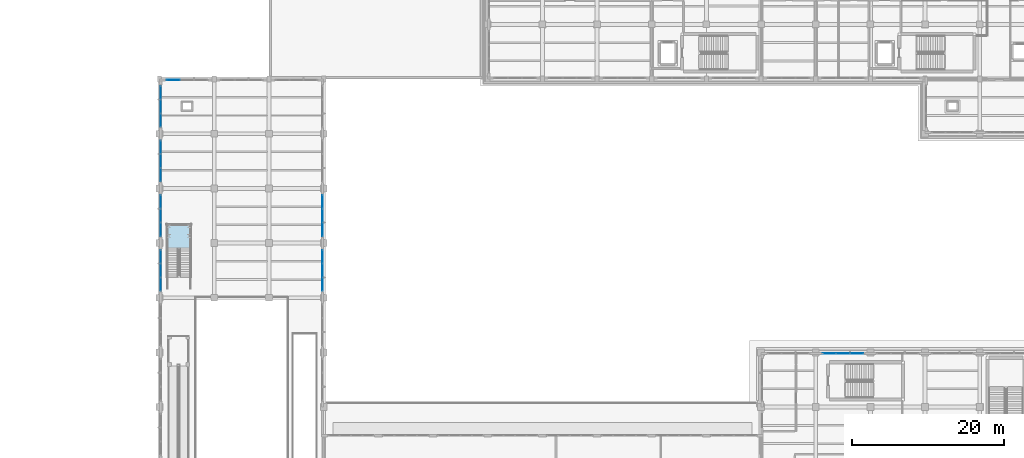
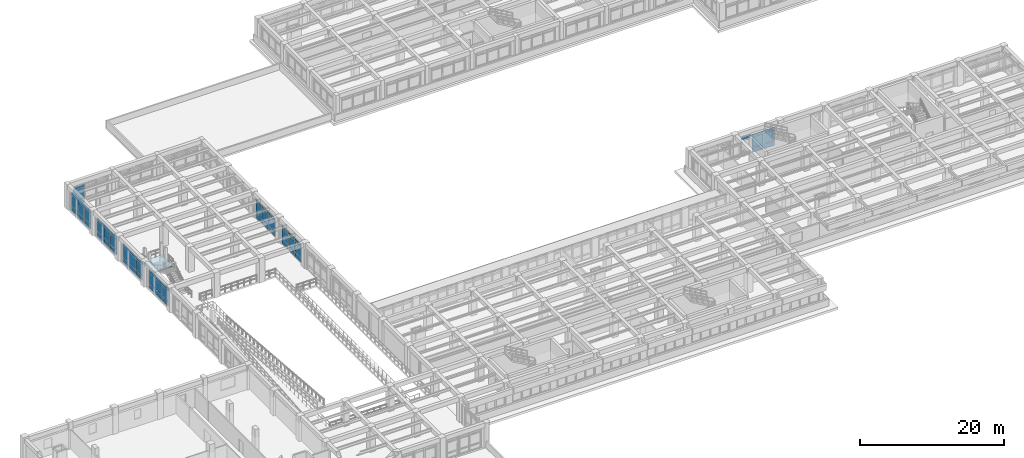
# One storey, part 40 of 69: 64 plates, 1 slab, 9 elements without a shape of their own.
"""IFC4 building model written with IfcOpenShell, lengths in metres."""

from ifc_helpers import new_model, si_unit, direction, frame, origin, origin_2d, place, context, subcontext, project, spatial, polyline, rectangle, outline, extrude, material, layer, layer_set, type_object, element, aggregate, save


model = new_model("IFC4")

# Units and contexts
model_context = context("Model", 3, precision=1e-05, world=origin(), true_north=direction((0.0, 1.0)))
body_context = subcontext(model_context, "Body", "Model", "MODEL_VIEW")
ifc_project = project(units=[si_unit("LENGTHUNIT", "METRE"), si_unit("AREAUNIT", "SQUARE_METRE"), si_unit("VOLUMEUNIT", "CUBIC_METRE"), si_unit("PLANEANGLEUNIT", "RADIAN"), si_unit("MASSUNIT", "GRAM", prefix="KILO")], contexts=[model_context])

# Site, building, storey
site_placement = place(None, origin())
site = spatial("IfcSite", under=ifc_project, at=site_placement, CompositionType="ELEMENT")
building_placement = place(site_placement, origin())
building = spatial("IfcBuilding", under=site, at=building_placement, Name="Solenvale Faculty of Natural Sciences", CompositionType="ELEMENT")
storey_placement = place(building_placement, frame((0.0, 0.0, 4.5)))
storey = spatial("IfcBuildingStorey", under=building, at=storey_placement, Name="L01", CompositionType="ELEMENT", Elevation=4.5)

# Curtain wall, plates
ifc_material_1 = material(Name="Anodised bronze aluminium", Category="aluminium")
ifc_layer_1 = layer(ifc_material_1, 0.199951171875)
ifc_layer_set_1 = layer_set([ifc_layer_1], Name="Anodised bronze aluminium")
curtain_wall_type_1 = type_object("IfcCurtainWallType", Name="CW-COM-FIN", PredefinedType="USERDEFINED", material=ifc_layer_set_1)
curtain_wall_1_placement = place(storey_placement, origin())
curtain_wall_1 = element("IfcCurtainWall", 1, at=curtain_wall_1_placement, inside=storey, type_object=curtain_wall_type_1, Name="L01 Curtain Wall CW-L01-P1-E9-B6", ObjectType="UNITISED CURTAIN WALL", PredefinedType="USERDEFINED")
ifc_material_2 = material(Name="Triple low-E insulated glass", Category="glass")
ifc_layer_2 = layer(ifc_material_2, 0.031982421875)
ifc_layer_set_2 = layer_set([ifc_layer_2], Name="Triple low-E insulated glass")
plate_type_1 = type_object("IfcPlateType", Name="CWP-PNL-32", PredefinedType="CURTAIN_PANEL", material=ifc_layer_set_2)
plate_1_placement = place(storey_placement, frame((127.814697265625, 57.45751953125, 0.074951171875), z_axis=(0.0, 0.0, 1.0), x_axis=(-1.0, 0.0, 0.0)))
plate_1 = element("IfcPlate", 2, at=plate_1_placement, type_object=plate_type_1, Name="CW-03 panel 1.1", PredefinedType="CURTAIN_PANEL", context=body_context, shape_type="SweptSolid", body=[
    extrude(rectangle(XDim=1.720947265625, YDim=0.031982421875, at=origin_2d()), origin(), (0.0, 0.0, 1.0), 0.78759765625),
])
plate_2_placement = place(storey_placement, frame((127.814697265625, 57.45751953125, 0.9375), z_axis=(0.0, 0.0, 1.0), x_axis=(-1.0, 0.0, 0.0)))
plate_2 = element("IfcPlate", 3, at=plate_2_placement, type_object=plate_type_1, Name="CW-03 panel 1.2", PredefinedType="CURTAIN_PANEL", context=body_context, shape_type="SweptSolid", body=[
    extrude(rectangle(XDim=1.720947265625, YDim=0.031982421875, at=origin_2d()), origin(), (0.0, 0.0, 1.0), 1.784912109375),
])
plate_3_placement = place(storey_placement, frame((127.814697265625, 57.45751953125, 2.79736328125), z_axis=(0.0, 0.0, 1.0), x_axis=(-1.0, 0.0, 0.0)))
plate_3 = element("IfcPlate", 4, at=plate_3_placement, type_object=plate_type_1, Name="CW-03 panel 1.3", PredefinedType="CURTAIN_PANEL", context=body_context, shape_type="SweptSolid", body=[
    extrude(rectangle(XDim=1.720947265625, YDim=0.031982421875, at=origin_2d()), origin(), (0.0, 0.0, 1.0), 0.387451171875),
])
plate_4_placement = place(storey_placement, frame((126.0, 57.45751953125, 0.074951171875), z_axis=(0.0, 0.0, 1.0), x_axis=(-1.0, 0.0, 0.0)))
plate_4 = element("IfcPlate", 5, at=plate_4_placement, type_object=plate_type_1, Name="CW-03 panel 2.1", PredefinedType="CURTAIN_PANEL", context=body_context, shape_type="SweptSolid", body=[
    extrude(rectangle(XDim=1.75830078125, YDim=0.031982421875, at=origin_2d()), origin(), (0.0, 0.0, 1.0), 0.78759765625),
])
plate_5_placement = place(storey_placement, frame((126.0, 57.45751953125, 0.9375), z_axis=(0.0, 0.0, 1.0), x_axis=(-1.0, 0.0, 0.0)))
plate_5 = element("IfcPlate", 6, at=plate_5_placement, type_object=plate_type_1, Name="CW-03 panel 2.2", PredefinedType="CURTAIN_PANEL", context=body_context, shape_type="SweptSolid", body=[
    extrude(rectangle(XDim=1.75830078125, YDim=0.031982421875, at=origin_2d()), origin(), (0.0, 0.0, 1.0), 1.784912109375),
])
plate_6_placement = place(storey_placement, frame((126.0, 57.45751953125, 2.79736328125), z_axis=(0.0, 0.0, 1.0), x_axis=(-1.0, 0.0, 0.0)))
plate_6 = element("IfcPlate", 7, at=plate_6_placement, type_object=plate_type_1, Name="CW-03 panel 2.3", PredefinedType="CURTAIN_PANEL", context=body_context, shape_type="SweptSolid", body=[
    extrude(rectangle(XDim=1.75830078125, YDim=0.031982421875, at=origin_2d()), origin(), (0.0, 0.0, 1.0), 0.387451171875),
])
plate_7_placement = place(storey_placement, frame((124.185302734375, 57.45751953125, 2.79736328125), z_axis=(0.0, 0.0, 1.0), x_axis=(-1.0, 0.0, 0.0)))
plate_7 = element("IfcPlate", 8, at=plate_7_placement, type_object=plate_type_1, Name="CW-03 panel 3.3", PredefinedType="CURTAIN_PANEL", context=body_context, shape_type="SweptSolid", body=[
    extrude(rectangle(XDim=1.720947265625, YDim=0.031982421875, at=origin_2d()), origin(), (0.0, 0.0, 1.0), 0.387451171875),
])
aggregate(curtain_wall_1, [plate_1, plate_2, plate_3, plate_4, plate_5, plate_6, plate_7])

ifc_layer_3 = layer(ifc_material_1, 0.215087890625)
ifc_layer_set_3 = layer_set([ifc_layer_3], Name="Anodised bronze aluminium")
curtain_wall_type_2 = type_object("IfcCurtainWallType", Name="CW-ATR-UNIT", PredefinedType="USERDEFINED", material=ifc_layer_set_3)
curtain_wall_2_placement = place(storey_placement, origin())
curtain_wall_2 = element("IfcCurtainWall", 9, at=curtain_wall_2_placement, inside=storey, type_object=curtain_wall_type_2, Name="L01 Curtain Wall CW-L01-P1-E14-B1", ObjectType="UNITISED CURTAIN WALL", PredefinedType="USERDEFINED")
plate_8_placement = place(storey_placement, frame((36.142578125, 91.814697265625, 0.074951171875), z_axis=(0.0, 0.0, 1.0), x_axis=(0.0, -1.0, 0.0)))
plate_8 = element("IfcPlate", 10, at=plate_8_placement, type_object=plate_type_1, Name="CW-01 panel 1.1", PredefinedType="CURTAIN_PANEL", context=body_context, shape_type="SweptSolid", body=[
    extrude(rectangle(XDim=1.720947265625, YDim=0.031982421875, at=origin_2d()), origin(), (0.0, 0.0, 1.0), 0.78759765625),
])
plate_9_placement = place(storey_placement, frame((36.142578125, 91.814697265625, 0.9375), z_axis=(0.0, 0.0, 1.0), x_axis=(0.0, -1.0, 0.0)))
plate_9 = element("IfcPlate", 11, at=plate_9_placement, type_object=plate_type_1, Name="CW-01 panel 1.2", PredefinedType="CURTAIN_PANEL", context=body_context, shape_type="SweptSolid", body=[
    extrude(rectangle(XDim=1.720947265625, YDim=0.031982421875, at=origin_2d()), origin(), (0.0, 0.0, 1.0), 1.784912109375),
])
plate_10_placement = place(storey_placement, frame((36.142578125, 91.814697265625, 2.79736328125), z_axis=(0.0, 0.0, 1.0), x_axis=(0.0, -1.0, 0.0)))
plate_10 = element("IfcPlate", 12, at=plate_10_placement, type_object=plate_type_1, Name="CW-01 panel 1.3", PredefinedType="CURTAIN_PANEL", context=body_context, shape_type="SweptSolid", body=[
    extrude(rectangle(XDim=1.720947265625, YDim=0.031982421875, at=origin_2d()), origin(), (0.0, 0.0, 1.0), 0.387451171875),
])
plate_11_placement = place(storey_placement, frame((36.142578125, 90.0, 0.074951171875), z_axis=(0.0, 0.0, 1.0), x_axis=(0.0, -1.0, 0.0)))
plate_11 = element("IfcPlate", 13, at=plate_11_placement, type_object=plate_type_1, Name="CW-01 panel 2.1", PredefinedType="CURTAIN_PANEL", context=body_context, shape_type="SweptSolid", body=[
    extrude(rectangle(XDim=1.75830078125, YDim=0.031982421875, at=origin_2d()), origin(), (0.0, 0.0, 1.0), 0.78759765625),
])
plate_12_placement = place(storey_placement, frame((36.142578125, 90.0, 0.9375), z_axis=(0.0, 0.0, 1.0), x_axis=(0.0, -1.0, 0.0)))
plate_12 = element("IfcPlate", 14, at=plate_12_placement, type_object=plate_type_1, Name="CW-01 panel 2.2", PredefinedType="CURTAIN_PANEL", context=body_context, shape_type="SweptSolid", body=[
    extrude(rectangle(XDim=1.75830078125, YDim=0.031982421875, at=origin_2d()), origin(), (0.0, 0.0, 1.0), 1.784912109375),
])
plate_13_placement = place(storey_placement, frame((36.142578125, 90.0, 2.79736328125), z_axis=(0.0, 0.0, 1.0), x_axis=(0.0, -1.0, 0.0)))
plate_13 = element("IfcPlate", 15, at=plate_13_placement, type_object=plate_type_1, Name="CW-01 panel 2.3", PredefinedType="CURTAIN_PANEL", context=body_context, shape_type="SweptSolid", body=[
    extrude(rectangle(XDim=1.75830078125, YDim=0.031982421875, at=origin_2d()), origin(), (0.0, 0.0, 1.0), 0.387451171875),
])
plate_14_placement = place(storey_placement, frame((36.142578125, 88.185302734375, 0.074951171875), z_axis=(0.0, 0.0, 1.0), x_axis=(0.0, -1.0, 0.0)))
plate_14 = element("IfcPlate", 16, at=plate_14_placement, type_object=plate_type_1, Name="CW-01 panel 3.1", PredefinedType="CURTAIN_PANEL", context=body_context, shape_type="SweptSolid", body=[
    extrude(rectangle(XDim=1.720947265625, YDim=0.031982421875, at=origin_2d()), origin(), (0.0, 0.0, 1.0), 0.78759765625),
])
plate_15_placement = place(storey_placement, frame((36.142578125, 88.185302734375, 0.9375), z_axis=(0.0, 0.0, 1.0), x_axis=(0.0, -1.0, 0.0)))
plate_15 = element("IfcPlate", 17, at=plate_15_placement, type_object=plate_type_1, Name="CW-01 panel 3.2", PredefinedType="CURTAIN_PANEL", context=body_context, shape_type="SweptSolid", body=[
    extrude(rectangle(XDim=1.720947265625, YDim=0.031982421875, at=origin_2d()), origin(), (0.0, 0.0, 1.0), 1.784912109375),
])
plate_16_placement = place(storey_placement, frame((36.142578125, 88.185302734375, 2.79736328125), z_axis=(0.0, 0.0, 1.0), x_axis=(0.0, -1.0, 0.0)))
plate_16 = element("IfcPlate", 18, at=plate_16_placement, type_object=plate_type_1, Name="CW-01 panel 3.3", PredefinedType="CURTAIN_PANEL", context=body_context, shape_type="SweptSolid", body=[
    extrude(rectangle(XDim=1.720947265625, YDim=0.031982421875, at=origin_2d()), origin(), (0.0, 0.0, 1.0), 0.387451171875),
])
aggregate(curtain_wall_2, [plate_8, plate_9, plate_10, plate_11, plate_12, plate_13, plate_14, plate_15, plate_16])

curtain_wall_3_placement = place(storey_placement, origin())
curtain_wall_3 = element("IfcCurtainWall", 19, at=curtain_wall_3_placement, inside=storey, type_object=curtain_wall_type_2, Name="L01 Curtain Wall CW-L01-P1-E12-B4", ObjectType="UNITISED CURTAIN WALL", PredefinedType="USERDEFINED")
ifc_layer_4 = layer(ifc_material_2, 0.035888671875)
ifc_layer_set_4 = layer_set([ifc_layer_4], Name="Triple low-E insulated glass")
plate_type_2 = type_object("IfcPlateType", Name="CWP-PNL-36", PredefinedType="CURTAIN_PANEL", material=ifc_layer_set_4)
plate_17_placement = place(storey_placement, frame((57.45751953125, 66.58544921875, 0.074951171875), z_axis=(0.0, 0.0, 1.0), x_axis=(0.0, 1.0, 0.0)))
plate_17 = element("IfcPlate", 20, at=plate_17_placement, type_object=plate_type_2, Name="CW-01 panel 1.1", PredefinedType="CURTAIN_PANEL", context=body_context, shape_type="SweptSolid", body=[
    extrude(rectangle(XDim=1.720947265625, YDim=0.035888671875, at=origin_2d()), origin(), (0.0, 0.0, 1.0), 0.78759765625),
])
plate_18_placement = place(storey_placement, frame((57.45751953125, 66.58544921875, 0.9375), z_axis=(0.0, 0.0, 1.0), x_axis=(0.0, 1.0, 0.0)))
plate_18 = element("IfcPlate", 21, at=plate_18_placement, type_object=plate_type_2, Name="CW-01 panel 1.2", PredefinedType="CURTAIN_PANEL", context=body_context, shape_type="SweptSolid", body=[
    extrude(rectangle(XDim=1.720947265625, YDim=0.035888671875, at=origin_2d()), origin(), (0.0, 0.0, 1.0), 1.784912109375),
])
plate_19_placement = place(storey_placement, frame((57.45751953125, 66.58544921875, 2.79736328125), z_axis=(0.0, 0.0, 1.0), x_axis=(0.0, 1.0, 0.0)))
plate_19 = element("IfcPlate", 22, at=plate_19_placement, type_object=plate_type_2, Name="CW-01 panel 1.3", PredefinedType="CURTAIN_PANEL", context=body_context, shape_type="SweptSolid", body=[
    extrude(rectangle(XDim=1.720947265625, YDim=0.035888671875, at=origin_2d()), origin(), (0.0, 0.0, 1.0), 0.387451171875),
])
plate_20_placement = place(storey_placement, frame((57.45751953125, 68.39990234375, 0.074951171875), z_axis=(0.0, 0.0, 1.0), x_axis=(0.0, 1.0, 0.0)))
plate_20 = element("IfcPlate", 23, at=plate_20_placement, type_object=plate_type_2, Name="CW-01 panel 2.1", PredefinedType="CURTAIN_PANEL", context=body_context, shape_type="SweptSolid", body=[
    extrude(rectangle(XDim=1.75830078125, YDim=0.035888671875, at=origin_2d()), origin(), (0.0, 0.0, 1.0), 0.78759765625),
])
plate_21_placement = place(storey_placement, frame((57.45751953125, 68.39990234375, 0.9375), z_axis=(0.0, 0.0, 1.0), x_axis=(0.0, 1.0, 0.0)))
plate_21 = element("IfcPlate", 24, at=plate_21_placement, type_object=plate_type_2, Name="CW-01 panel 2.2", PredefinedType="CURTAIN_PANEL", context=body_context, shape_type="SweptSolid", body=[
    extrude(rectangle(XDim=1.75830078125, YDim=0.035888671875, at=origin_2d()), origin(), (0.0, 0.0, 1.0), 1.784912109375),
])
plate_22_placement = place(storey_placement, frame((57.45751953125, 68.39990234375, 2.79736328125), z_axis=(0.0, 0.0, 1.0), x_axis=(0.0, 1.0, 0.0)))
plate_22 = element("IfcPlate", 25, at=plate_22_placement, type_object=plate_type_2, Name="CW-01 panel 2.3", PredefinedType="CURTAIN_PANEL", context=body_context, shape_type="SweptSolid", body=[
    extrude(rectangle(XDim=1.75830078125, YDim=0.035888671875, at=origin_2d()), origin(), (0.0, 0.0, 1.0), 0.387451171875),
])
plate_23_placement = place(storey_placement, frame((57.45751953125, 70.214599609375, 0.074951171875), z_axis=(0.0, 0.0, 1.0), x_axis=(0.0, 1.0, 0.0)))
plate_23 = element("IfcPlate", 26, at=plate_23_placement, type_object=plate_type_2, Name="CW-01 panel 3.1", PredefinedType="CURTAIN_PANEL", context=body_context, shape_type="SweptSolid", body=[
    extrude(rectangle(XDim=1.720947265625, YDim=0.035888671875, at=origin_2d()), origin(), (0.0, 0.0, 1.0), 0.78759765625),
])
plate_24_placement = place(storey_placement, frame((57.45751953125, 70.214599609375, 0.9375), z_axis=(0.0, 0.0, 1.0), x_axis=(0.0, 1.0, 0.0)))
plate_24 = element("IfcPlate", 27, at=plate_24_placement, type_object=plate_type_2, Name="CW-01 panel 3.2", PredefinedType="CURTAIN_PANEL", context=body_context, shape_type="SweptSolid", body=[
    extrude(rectangle(XDim=1.720947265625, YDim=0.035888671875, at=origin_2d()), origin(), (0.0, 0.0, 1.0), 1.784912109375),
])
plate_25_placement = place(storey_placement, frame((57.45751953125, 70.214599609375, 2.79736328125), z_axis=(0.0, 0.0, 1.0), x_axis=(0.0, 1.0, 0.0)))
plate_25 = element("IfcPlate", 28, at=plate_25_placement, type_object=plate_type_2, Name="CW-01 panel 3.3", PredefinedType="CURTAIN_PANEL", context=body_context, shape_type="SweptSolid", body=[
    extrude(rectangle(XDim=1.720947265625, YDim=0.035888671875, at=origin_2d()), origin(), (0.0, 0.0, 1.0), 0.387451171875),
])
aggregate(curtain_wall_3, [plate_17, plate_18, plate_19, plate_20, plate_21, plate_22, plate_23, plate_24, plate_25])

curtain_wall_4_placement = place(storey_placement, origin())
curtain_wall_4 = element("IfcCurtainWall", 29, at=curtain_wall_4_placement, inside=storey, type_object=curtain_wall_type_2, Name="L01 Curtain Wall CW-L01-P1-E13-B3", ObjectType="UNITISED CURTAIN WALL", PredefinedType="USERDEFINED")
plate_26_placement = place(storey_placement, frame((37.785400390625, 93.45751953125, 0.074951171875), z_axis=(0.0, 0.0, 1.0), x_axis=(-1.0, 0.0, 0.0)))
plate_26 = element("IfcPlate", 30, at=plate_26_placement, type_object=plate_type_2, Name="CW-01 panel 3.1", PredefinedType="CURTAIN_PANEL", context=body_context, shape_type="SweptSolid", body=[
    extrude(rectangle(XDim=1.720947265625, YDim=0.035888671875, at=origin_2d()), origin(), (0.0, 0.0, 1.0), 0.78759765625),
])
plate_27_placement = place(storey_placement, frame((37.785400390625, 93.45751953125, 0.9375), z_axis=(0.0, 0.0, 1.0), x_axis=(-1.0, 0.0, 0.0)))
plate_27 = element("IfcPlate", 31, at=plate_27_placement, type_object=plate_type_2, Name="CW-01 panel 3.2", PredefinedType="CURTAIN_PANEL", context=body_context, shape_type="SweptSolid", body=[
    extrude(rectangle(XDim=1.720947265625, YDim=0.035888671875, at=origin_2d()), origin(), (0.0, 0.0, 1.0), 1.784912109375),
])
plate_28_placement = place(storey_placement, frame((37.785400390625, 93.45751953125, 2.79736328125), z_axis=(0.0, 0.0, 1.0), x_axis=(-1.0, 0.0, 0.0)))
plate_28 = element("IfcPlate", 32, at=plate_28_placement, type_object=plate_type_2, Name="CW-01 panel 3.3", PredefinedType="CURTAIN_PANEL", context=body_context, shape_type="SweptSolid", body=[
    extrude(rectangle(XDim=1.720947265625, YDim=0.035888671875, at=origin_2d()), origin(), (0.0, 0.0, 1.0), 0.387451171875),
])
aggregate(curtain_wall_4, [plate_26, plate_27, plate_28])

curtain_wall_5_placement = place(storey_placement, origin())
curtain_wall_5 = element("IfcCurtainWall", 33, at=curtain_wall_5_placement, inside=storey, type_object=curtain_wall_type_2, Name="L01 Curtain Wall CW-L01-P1-E14-B2", ObjectType="UNITISED CURTAIN WALL", PredefinedType="USERDEFINED")
plate_29_placement = place(storey_placement, frame((36.142578125, 84.614501953125, 0.074951171875), z_axis=(0.0, 0.0, 1.0), x_axis=(0.0, -1.0, 0.0)))
plate_29 = element("IfcPlate", 34, at=plate_29_placement, type_object=plate_type_2, Name="CW-01 panel 1.1", PredefinedType="CURTAIN_PANEL", context=body_context, shape_type="SweptSolid", body=[
    extrude(rectangle(XDim=1.720947265625, YDim=0.035888671875, at=origin_2d()), origin(), (0.0, 0.0, 1.0), 0.78759765625),
])
plate_30_placement = place(storey_placement, frame((36.142578125, 84.614501953125, 0.9375), z_axis=(0.0, 0.0, 1.0), x_axis=(0.0, -1.0, 0.0)))
plate_30 = element("IfcPlate", 35, at=plate_30_placement, type_object=plate_type_2, Name="CW-01 panel 1.2", PredefinedType="CURTAIN_PANEL", context=body_context, shape_type="SweptSolid", body=[
    extrude(rectangle(XDim=1.720947265625, YDim=0.035888671875, at=origin_2d()), origin(), (0.0, 0.0, 1.0), 1.784912109375),
])
plate_31_placement = place(storey_placement, frame((36.142578125, 84.614501953125, 2.79736328125), z_axis=(0.0, 0.0, 1.0), x_axis=(0.0, -1.0, 0.0)))
plate_31 = element("IfcPlate", 36, at=plate_31_placement, type_object=plate_type_2, Name="CW-01 panel 1.3", PredefinedType="CURTAIN_PANEL", context=body_context, shape_type="SweptSolid", body=[
    extrude(rectangle(XDim=1.720947265625, YDim=0.035888671875, at=origin_2d()), origin(), (0.0, 0.0, 1.0), 0.387451171875),
])
plate_32_placement = place(storey_placement, frame((36.142578125, 82.800048828125, 0.074951171875), z_axis=(0.0, 0.0, 1.0), x_axis=(0.0, -1.0, 0.0)))
plate_32 = element("IfcPlate", 37, at=plate_32_placement, type_object=plate_type_2, Name="CW-01 panel 2.1", PredefinedType="CURTAIN_PANEL", context=body_context, shape_type="SweptSolid", body=[
    extrude(rectangle(XDim=1.75830078125, YDim=0.035888671875, at=origin_2d()), origin(), (0.0, 0.0, 1.0), 0.78759765625),
])
plate_33_placement = place(storey_placement, frame((36.142578125, 82.800048828125, 0.9375), z_axis=(0.0, 0.0, 1.0), x_axis=(0.0, -1.0, 0.0)))
plate_33 = element("IfcPlate", 38, at=plate_33_placement, type_object=plate_type_2, Name="CW-01 panel 2.2", PredefinedType="CURTAIN_PANEL", context=body_context, shape_type="SweptSolid", body=[
    extrude(rectangle(XDim=1.75830078125, YDim=0.035888671875, at=origin_2d()), origin(), (0.0, 0.0, 1.0), 1.784912109375),
])
plate_34_placement = place(storey_placement, frame((36.142578125, 82.800048828125, 2.79736328125), z_axis=(0.0, 0.0, 1.0), x_axis=(0.0, -1.0, 0.0)))
plate_34 = element("IfcPlate", 39, at=plate_34_placement, type_object=plate_type_2, Name="CW-01 panel 2.3", PredefinedType="CURTAIN_PANEL", context=body_context, shape_type="SweptSolid", body=[
    extrude(rectangle(XDim=1.75830078125, YDim=0.035888671875, at=origin_2d()), origin(), (0.0, 0.0, 1.0), 0.387451171875),
])
plate_35_placement = place(storey_placement, frame((36.142578125, 80.9853515625, 0.074951171875), z_axis=(0.0, 0.0, 1.0), x_axis=(0.0, -1.0, 0.0)))
plate_35 = element("IfcPlate", 40, at=plate_35_placement, type_object=plate_type_2, Name="CW-01 panel 3.1", PredefinedType="CURTAIN_PANEL", context=body_context, shape_type="SweptSolid", body=[
    extrude(rectangle(XDim=1.720947265625, YDim=0.035888671875, at=origin_2d()), origin(), (0.0, 0.0, 1.0), 0.78759765625),
])
plate_36_placement = place(storey_placement, frame((36.142578125, 80.9853515625, 0.9375), z_axis=(0.0, 0.0, 1.0), x_axis=(0.0, -1.0, 0.0)))
plate_36 = element("IfcPlate", 41, at=plate_36_placement, type_object=plate_type_2, Name="CW-01 panel 3.2", PredefinedType="CURTAIN_PANEL", context=body_context, shape_type="SweptSolid", body=[
    extrude(rectangle(XDim=1.720947265625, YDim=0.035888671875, at=origin_2d()), origin(), (0.0, 0.0, 1.0), 1.784912109375),
])
plate_37_placement = place(storey_placement, frame((36.142578125, 80.9853515625, 2.79736328125), z_axis=(0.0, 0.0, 1.0), x_axis=(0.0, -1.0, 0.0)))
plate_37 = element("IfcPlate", 42, at=plate_37_placement, type_object=plate_type_2, Name="CW-01 panel 3.3", PredefinedType="CURTAIN_PANEL", context=body_context, shape_type="SweptSolid", body=[
    extrude(rectangle(XDim=1.720947265625, YDim=0.035888671875, at=origin_2d()), origin(), (0.0, 0.0, 1.0), 0.387451171875),
])
aggregate(curtain_wall_5, [plate_29, plate_30, plate_31, plate_32, plate_33, plate_34, plate_35, plate_36, plate_37])

curtain_wall_6_placement = place(storey_placement, origin())
curtain_wall_6 = element("IfcCurtainWall", 43, at=curtain_wall_6_placement, inside=storey, type_object=curtain_wall_type_2, Name="L01 Curtain Wall CW-L01-P1-E12-B5", ObjectType="UNITISED CURTAIN WALL", PredefinedType="USERDEFINED")
ifc_layer_5 = layer(ifc_material_2, 0.0400390625)
ifc_layer_set_5 = layer_set([ifc_layer_5], Name="Triple low-E insulated glass")
plate_type_3 = type_object("IfcPlateType", Name="CWP-PNL-40", PredefinedType="CURTAIN_PANEL", material=ifc_layer_set_5)
plate_38_placement = place(storey_placement, frame((57.45751953125, 73.785400390625, 0.074951171875), z_axis=(0.0, 0.0, 1.0), x_axis=(0.0, 1.0, 0.0)))
plate_38 = element("IfcPlate", 44, at=plate_38_placement, type_object=plate_type_3, Name="CW-01 panel 1.1", PredefinedType="CURTAIN_PANEL", context=body_context, shape_type="SweptSolid", body=[
    extrude(rectangle(XDim=1.720947265625, YDim=0.0400390625, at=origin_2d()), origin(), (0.0, 0.0, 1.0), 0.78759765625),
])
plate_39_placement = place(storey_placement, frame((57.45751953125, 73.785400390625, 0.9375), z_axis=(0.0, 0.0, 1.0), x_axis=(0.0, 1.0, 0.0)))
plate_39 = element("IfcPlate", 45, at=plate_39_placement, type_object=plate_type_3, Name="CW-01 panel 1.2", PredefinedType="CURTAIN_PANEL", context=body_context, shape_type="SweptSolid", body=[
    extrude(rectangle(XDim=1.720947265625, YDim=0.0400390625, at=origin_2d()), origin(), (0.0, 0.0, 1.0), 1.784912109375),
])
plate_40_placement = place(storey_placement, frame((57.45751953125, 73.785400390625, 2.79736328125), z_axis=(0.0, 0.0, 1.0), x_axis=(0.0, 1.0, 0.0)))
plate_40 = element("IfcPlate", 46, at=plate_40_placement, type_object=plate_type_3, Name="CW-01 panel 1.3", PredefinedType="CURTAIN_PANEL", context=body_context, shape_type="SweptSolid", body=[
    extrude(rectangle(XDim=1.720947265625, YDim=0.0400390625, at=origin_2d()), origin(), (0.0, 0.0, 1.0), 0.387451171875),
])
plate_41_placement = place(storey_placement, frame((57.45751953125, 75.60009765625, 0.074951171875), z_axis=(0.0, 0.0, 1.0), x_axis=(0.0, 1.0, 0.0)))
plate_41 = element("IfcPlate", 47, at=plate_41_placement, type_object=plate_type_3, Name="CW-01 panel 2.1", PredefinedType="CURTAIN_PANEL", context=body_context, shape_type="SweptSolid", body=[
    extrude(rectangle(XDim=1.75830078125, YDim=0.0400390625, at=origin_2d()), origin(), (0.0, 0.0, 1.0), 0.78759765625),
])
plate_42_placement = place(storey_placement, frame((57.45751953125, 75.60009765625, 0.9375), z_axis=(0.0, 0.0, 1.0), x_axis=(0.0, 1.0, 0.0)))
plate_42 = element("IfcPlate", 48, at=plate_42_placement, type_object=plate_type_3, Name="CW-01 panel 2.2", PredefinedType="CURTAIN_PANEL", context=body_context, shape_type="SweptSolid", body=[
    extrude(rectangle(XDim=1.75830078125, YDim=0.0400390625, at=origin_2d()), origin(), (0.0, 0.0, 1.0), 1.784912109375),
])
plate_43_placement = place(storey_placement, frame((57.45751953125, 75.60009765625, 2.79736328125), z_axis=(0.0, 0.0, 1.0), x_axis=(0.0, 1.0, 0.0)))
plate_43 = element("IfcPlate", 49, at=plate_43_placement, type_object=plate_type_3, Name="CW-01 panel 2.3", PredefinedType="CURTAIN_PANEL", context=body_context, shape_type="SweptSolid", body=[
    extrude(rectangle(XDim=1.75830078125, YDim=0.0400390625, at=origin_2d()), origin(), (0.0, 0.0, 1.0), 0.387451171875),
])
plate_44_placement = place(storey_placement, frame((57.45751953125, 77.41455078125, 0.074951171875), z_axis=(0.0, 0.0, 1.0), x_axis=(0.0, 1.0, 0.0)))
plate_44 = element("IfcPlate", 50, at=plate_44_placement, type_object=plate_type_3, Name="CW-01 panel 3.1", PredefinedType="CURTAIN_PANEL", context=body_context, shape_type="SweptSolid", body=[
    extrude(rectangle(XDim=1.720947265625, YDim=0.0400390625, at=origin_2d()), origin(), (0.0, 0.0, 1.0), 0.78759765625),
])
plate_45_placement = place(storey_placement, frame((57.45751953125, 77.41455078125, 0.9375), z_axis=(0.0, 0.0, 1.0), x_axis=(0.0, 1.0, 0.0)))
plate_45 = element("IfcPlate", 51, at=plate_45_placement, type_object=plate_type_3, Name="CW-01 panel 3.2", PredefinedType="CURTAIN_PANEL", context=body_context, shape_type="SweptSolid", body=[
    extrude(rectangle(XDim=1.720947265625, YDim=0.0400390625, at=origin_2d()), origin(), (0.0, 0.0, 1.0), 1.784912109375),
])
plate_46_placement = place(storey_placement, frame((57.45751953125, 77.41455078125, 2.79736328125), z_axis=(0.0, 0.0, 1.0), x_axis=(0.0, 1.0, 0.0)))
plate_46 = element("IfcPlate", 52, at=plate_46_placement, type_object=plate_type_3, Name="CW-01 panel 3.3", PredefinedType="CURTAIN_PANEL", context=body_context, shape_type="SweptSolid", body=[
    extrude(rectangle(XDim=1.720947265625, YDim=0.0400390625, at=origin_2d()), origin(), (0.0, 0.0, 1.0), 0.387451171875),
])
aggregate(curtain_wall_6, [plate_38, plate_39, plate_40, plate_41, plate_42, plate_43, plate_44, plate_45, plate_46])

curtain_wall_7_placement = place(storey_placement, origin())
curtain_wall_7 = element("IfcCurtainWall", 53, at=curtain_wall_7_placement, inside=storey, type_object=curtain_wall_type_2, Name="L01 Curtain Wall CW-L01-P1-E14-B3", ObjectType="UNITISED CURTAIN WALL", PredefinedType="USERDEFINED")
plate_47_placement = place(storey_placement, frame((36.142578125, 77.41455078125, 0.074951171875), z_axis=(0.0, 0.0, 1.0), x_axis=(0.0, -1.0, 0.0)))
plate_47 = element("IfcPlate", 54, at=plate_47_placement, type_object=plate_type_3, Name="CW-01 panel 1.1", PredefinedType="CURTAIN_PANEL", context=body_context, shape_type="SweptSolid", body=[
    extrude(rectangle(XDim=1.720947265625, YDim=0.0400390625, at=origin_2d()), origin(), (0.0, 0.0, 1.0), 0.78759765625),
])
plate_48_placement = place(storey_placement, frame((36.142578125, 77.41455078125, 0.9375), z_axis=(0.0, 0.0, 1.0), x_axis=(0.0, -1.0, 0.0)))
plate_48 = element("IfcPlate", 55, at=plate_48_placement, type_object=plate_type_3, Name="CW-01 panel 1.2", PredefinedType="CURTAIN_PANEL", context=body_context, shape_type="SweptSolid", body=[
    extrude(rectangle(XDim=1.720947265625, YDim=0.0400390625, at=origin_2d()), origin(), (0.0, 0.0, 1.0), 1.784912109375),
])
plate_49_placement = place(storey_placement, frame((36.142578125, 77.41455078125, 2.79736328125), z_axis=(0.0, 0.0, 1.0), x_axis=(0.0, -1.0, 0.0)))
plate_49 = element("IfcPlate", 56, at=plate_49_placement, type_object=plate_type_3, Name="CW-01 panel 1.3", PredefinedType="CURTAIN_PANEL", context=body_context, shape_type="SweptSolid", body=[
    extrude(rectangle(XDim=1.720947265625, YDim=0.0400390625, at=origin_2d()), origin(), (0.0, 0.0, 1.0), 0.387451171875),
])
plate_50_placement = place(storey_placement, frame((36.142578125, 75.60009765625, 0.074951171875), z_axis=(0.0, 0.0, 1.0), x_axis=(0.0, -1.0, 0.0)))
plate_50 = element("IfcPlate", 57, at=plate_50_placement, type_object=plate_type_3, Name="CW-01 panel 2.1", PredefinedType="CURTAIN_PANEL", context=body_context, shape_type="SweptSolid", body=[
    extrude(rectangle(XDim=1.75830078125, YDim=0.0400390625, at=origin_2d()), origin(), (0.0, 0.0, 1.0), 0.78759765625),
])
plate_51_placement = place(storey_placement, frame((36.142578125, 75.60009765625, 0.9375), z_axis=(0.0, 0.0, 1.0), x_axis=(0.0, -1.0, 0.0)))
plate_51 = element("IfcPlate", 58, at=plate_51_placement, type_object=plate_type_3, Name="CW-01 panel 2.2", PredefinedType="CURTAIN_PANEL", context=body_context, shape_type="SweptSolid", body=[
    extrude(rectangle(XDim=1.75830078125, YDim=0.0400390625, at=origin_2d()), origin(), (0.0, 0.0, 1.0), 1.784912109375),
])
plate_52_placement = place(storey_placement, frame((36.142578125, 75.60009765625, 2.79736328125), z_axis=(0.0, 0.0, 1.0), x_axis=(0.0, -1.0, 0.0)))
plate_52 = element("IfcPlate", 59, at=plate_52_placement, type_object=plate_type_3, Name="CW-01 panel 2.3", PredefinedType="CURTAIN_PANEL", context=body_context, shape_type="SweptSolid", body=[
    extrude(rectangle(XDim=1.75830078125, YDim=0.0400390625, at=origin_2d()), origin(), (0.0, 0.0, 1.0), 0.387451171875),
])
plate_53_placement = place(storey_placement, frame((36.142578125, 73.785400390625, 0.074951171875), z_axis=(0.0, 0.0, 1.0), x_axis=(0.0, -1.0, 0.0)))
plate_53 = element("IfcPlate", 60, at=plate_53_placement, type_object=plate_type_3, Name="CW-01 panel 3.1", PredefinedType="CURTAIN_PANEL", context=body_context, shape_type="SweptSolid", body=[
    extrude(rectangle(XDim=1.720947265625, YDim=0.0400390625, at=origin_2d()), origin(), (0.0, 0.0, 1.0), 0.78759765625),
])
plate_54_placement = place(storey_placement, frame((36.142578125, 73.785400390625, 0.9375), z_axis=(0.0, 0.0, 1.0), x_axis=(0.0, -1.0, 0.0)))
plate_54 = element("IfcPlate", 61, at=plate_54_placement, type_object=plate_type_3, Name="CW-01 panel 3.2", PredefinedType="CURTAIN_PANEL", context=body_context, shape_type="SweptSolid", body=[
    extrude(rectangle(XDim=1.720947265625, YDim=0.0400390625, at=origin_2d()), origin(), (0.0, 0.0, 1.0), 1.784912109375),
])
plate_55_placement = place(storey_placement, frame((36.142578125, 73.785400390625, 2.79736328125), z_axis=(0.0, 0.0, 1.0), x_axis=(0.0, -1.0, 0.0)))
plate_55 = element("IfcPlate", 62, at=plate_55_placement, type_object=plate_type_3, Name="CW-01 panel 3.3", PredefinedType="CURTAIN_PANEL", context=body_context, shape_type="SweptSolid", body=[
    extrude(rectangle(XDim=1.720947265625, YDim=0.0400390625, at=origin_2d()), origin(), (0.0, 0.0, 1.0), 0.387451171875),
])
aggregate(curtain_wall_7, [plate_47, plate_48, plate_49, plate_50, plate_51, plate_52, plate_53, plate_54, plate_55])

curtain_wall_8_placement = place(storey_placement, origin())
curtain_wall_8 = element("IfcCurtainWall", 63, at=curtain_wall_8_placement, inside=storey, type_object=curtain_wall_type_2, Name="L01 Curtain Wall CW-L01-P1-E14-B4", ObjectType="UNITISED CURTAIN WALL", PredefinedType="USERDEFINED")
ifc_layer_6 = layer(ifc_material_2, 0.0439453125)
ifc_layer_set_6 = layer_set([ifc_layer_6], Name="Triple low-E insulated glass")
plate_type_4 = type_object("IfcPlateType", Name="CWP-PNL-44", PredefinedType="CURTAIN_PANEL", material=ifc_layer_set_6)
plate_56_placement = place(storey_placement, frame((36.142578125, 70.214599609375, 0.074951171875), z_axis=(0.0, 0.0, 1.0), x_axis=(0.0, -1.0, 0.0)))
plate_56 = element("IfcPlate", 64, at=plate_56_placement, type_object=plate_type_4, Name="CW-01 panel 1.1", PredefinedType="CURTAIN_PANEL", context=body_context, shape_type="SweptSolid", body=[
    extrude(rectangle(XDim=1.720947265625, YDim=0.0439453125, at=origin_2d()), origin(), (0.0, 0.0, 1.0), 0.78759765625),
])
plate_57_placement = place(storey_placement, frame((36.142578125, 70.214599609375, 0.9375), z_axis=(0.0, 0.0, 1.0), x_axis=(0.0, -1.0, 0.0)))
plate_57 = element("IfcPlate", 65, at=plate_57_placement, type_object=plate_type_4, Name="CW-01 panel 1.2", PredefinedType="CURTAIN_PANEL", context=body_context, shape_type="SweptSolid", body=[
    extrude(rectangle(XDim=1.720947265625, YDim=0.0439453125, at=origin_2d()), origin(), (0.0, 0.0, 1.0), 1.784912109375),
])
plate_58_placement = place(storey_placement, frame((36.142578125, 70.214599609375, 2.79736328125), z_axis=(0.0, 0.0, 1.0), x_axis=(0.0, -1.0, 0.0)))
plate_58 = element("IfcPlate", 66, at=plate_58_placement, type_object=plate_type_4, Name="CW-01 panel 1.3", PredefinedType="CURTAIN_PANEL", context=body_context, shape_type="SweptSolid", body=[
    extrude(rectangle(XDim=1.720947265625, YDim=0.0439453125, at=origin_2d()), origin(), (0.0, 0.0, 1.0), 0.387451171875),
])
plate_59_placement = place(storey_placement, frame((36.142578125, 68.39990234375, 0.074951171875), z_axis=(0.0, 0.0, 1.0), x_axis=(0.0, -1.0, 0.0)))
plate_59 = element("IfcPlate", 67, at=plate_59_placement, type_object=plate_type_4, Name="CW-01 panel 2.1", PredefinedType="CURTAIN_PANEL", context=body_context, shape_type="SweptSolid", body=[
    extrude(rectangle(XDim=1.75830078125, YDim=0.0439453125, at=origin_2d()), origin(), (0.0, 0.0, 1.0), 0.78759765625),
])
plate_60_placement = place(storey_placement, frame((36.142578125, 68.39990234375, 0.9375), z_axis=(0.0, 0.0, 1.0), x_axis=(0.0, -1.0, 0.0)))
plate_60 = element("IfcPlate", 68, at=plate_60_placement, type_object=plate_type_4, Name="CW-01 panel 2.2", PredefinedType="CURTAIN_PANEL", context=body_context, shape_type="SweptSolid", body=[
    extrude(rectangle(XDim=1.75830078125, YDim=0.0439453125, at=origin_2d()), origin(), (0.0, 0.0, 1.0), 1.784912109375),
])
plate_61_placement = place(storey_placement, frame((36.142578125, 68.39990234375, 2.79736328125), z_axis=(0.0, 0.0, 1.0), x_axis=(0.0, -1.0, 0.0)))
plate_61 = element("IfcPlate", 69, at=plate_61_placement, type_object=plate_type_4, Name="CW-01 panel 2.3", PredefinedType="CURTAIN_PANEL", context=body_context, shape_type="SweptSolid", body=[
    extrude(rectangle(XDim=1.75830078125, YDim=0.0439453125, at=origin_2d()), origin(), (0.0, 0.0, 1.0), 0.387451171875),
])
plate_62_placement = place(storey_placement, frame((36.142578125, 66.58544921875, 0.074951171875), z_axis=(0.0, 0.0, 1.0), x_axis=(0.0, -1.0, 0.0)))
plate_62 = element("IfcPlate", 70, at=plate_62_placement, type_object=plate_type_4, Name="CW-01 panel 3.1", PredefinedType="CURTAIN_PANEL", context=body_context, shape_type="SweptSolid", body=[
    extrude(rectangle(XDim=1.720947265625, YDim=0.0439453125, at=origin_2d()), origin(), (0.0, 0.0, 1.0), 0.78759765625),
])
plate_63_placement = place(storey_placement, frame((36.142578125, 66.58544921875, 0.9375), z_axis=(0.0, 0.0, 1.0), x_axis=(0.0, -1.0, 0.0)))
plate_63 = element("IfcPlate", 71, at=plate_63_placement, type_object=plate_type_4, Name="CW-01 panel 3.2", PredefinedType="CURTAIN_PANEL", context=body_context, shape_type="SweptSolid", body=[
    extrude(rectangle(XDim=1.720947265625, YDim=0.0439453125, at=origin_2d()), origin(), (0.0, 0.0, 1.0), 1.784912109375),
])
plate_64_placement = place(storey_placement, frame((36.142578125, 66.58544921875, 2.79736328125), z_axis=(0.0, 0.0, 1.0), x_axis=(0.0, -1.0, 0.0)))
plate_64 = element("IfcPlate", 72, at=plate_64_placement, type_object=plate_type_4, Name="CW-01 panel 3.3", PredefinedType="CURTAIN_PANEL", context=body_context, shape_type="SweptSolid", body=[
    extrude(rectangle(XDim=1.720947265625, YDim=0.0439453125, at=origin_2d()), origin(), (0.0, 0.0, 1.0), 0.387451171875),
])
aggregate(curtain_wall_8, [plate_56, plate_57, plate_58, plate_59, plate_60, plate_61, plate_62, plate_63, plate_64])

# Stair, slab
ifc_material_3 = material(Name="Concrete 40 MPa", Category="concrete")
stair_type = type_object("IfcStairType", Name="STR-FEAT-27R", PredefinedType="DOUBLE_RETURN_STAIR", material=ifc_material_3)
stair_placement = place(storey_placement, origin())
stair = element("IfcStair", 73, at=stair_placement, inside=storey, type_object=stair_type, Name="L01 Atrium Feature Stair ST-06", PredefinedType="DOUBLE_RETURN_STAIR")
ifc_layer_7 = layer(ifc_material_3, 0.179931640625)
ifc_layer_set_7 = layer_set([ifc_layer_7], Name="Concrete 40 MPa")
slab_type = type_object("IfcSlabType", Name="SL-LND-180", PredefinedType="LANDING", material=ifc_layer_set_7)
slab_placement = place(storey_placement, frame((0.0, 0.0, 2.050048828125)))
slab = element("IfcSlab", 74, at=slab_placement, type_object=slab_type, Name="ST-06 landing 1", PredefinedType="LANDING", context=body_context, shape_type="SweptSolid", body=[
    extrude(outline(polyline([(40.10009765625, 71.25), (40.10009765625, 74.39990234375), (37.0, 74.39990234375), (37.0, 71.25), (40.10009765625, 71.25)])), origin(), (0.0, 0.0, 1.0), 0.199951171875),
])
aggregate(stair, [slab])

save(model, "model.ifc")
